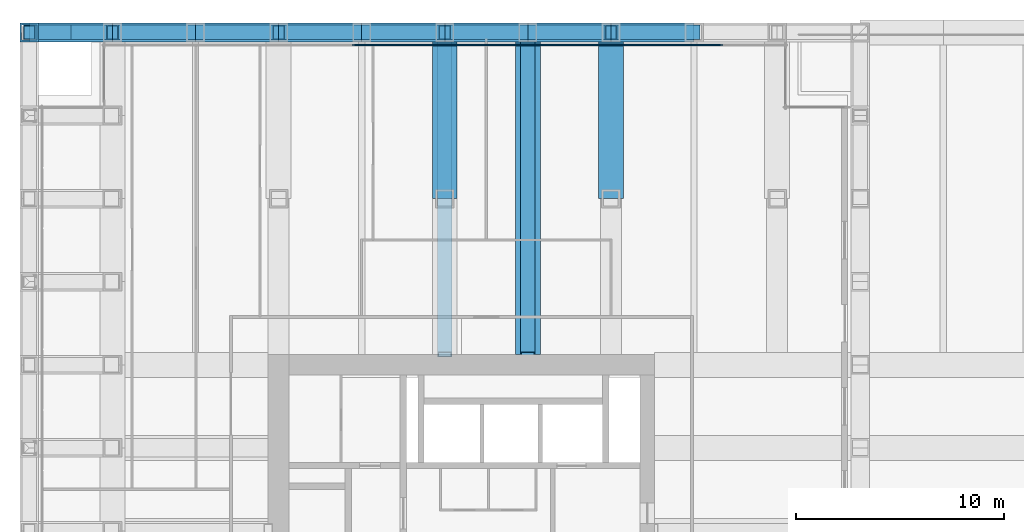
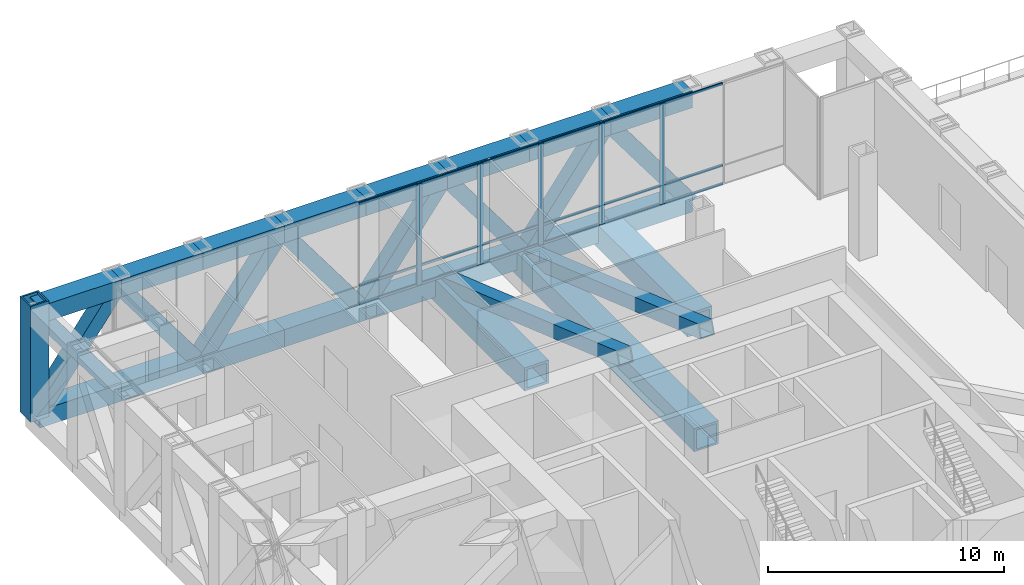
# One storey, part 7 of 13: 35 members, 19 beams, 1 element without a shape of its own.
"""IFC4 building model written with IfcOpenShell, lengths in metres."""

from ifc_helpers import new_model, si_unit, direction, frame, origin, origin_2d, place, context, subcontext, project, spatial, rectangle, hollow_rectangle, extrude, material, material_profile, profile_set, type_object, element, aggregate, save


model = new_model("IFC4")

# Units and contexts
model_context = context("Model", 3, precision=1e-05, world=origin(), true_north=direction((0.0, 1.0)))
body_context = subcontext(model_context, "Body", "Model", "MODEL_VIEW")
ifc_project = project(units=[si_unit("LENGTHUNIT", "METRE"), si_unit("AREAUNIT", "SQUARE_METRE"), si_unit("VOLUMEUNIT", "CUBIC_METRE"), si_unit("PLANEANGLEUNIT", "RADIAN"), si_unit("MASSUNIT", "GRAM", prefix="KILO")], contexts=[model_context])

# Site, building, storey
site_placement = place(None, origin())
site = spatial("IfcSite", under=ifc_project, at=site_placement, CompositionType="ELEMENT")
building_placement = place(site_placement, origin())
building = spatial("IfcBuilding", under=site, at=building_placement, Name="Rimbunsela Tower", CompositionType="ELEMENT")
storey_placement = place(building_placement, frame((0.0, 0.0, 137.39990234375)))
storey = spatial("IfcBuildingStorey", under=building, at=storey_placement, Name="L33", CompositionType="ELEMENT", Elevation=137.39990234375)

# Beams
ifc_material_1 = material(Name="Steel BJ 55 (fy 410 MPa)", Category="steel")
ifc_material_profile_1 = material_profile(ifc_material_1, hollow_rectangle(XDim=1.199951171875, YDim=1.199951171875, WallThickness=0.10009765625, at=origin_2d()), Name="BOX 1200x1200x100")
ifc_profile_set_1 = profile_set([ifc_material_profile_1], Name="Steel BJ 55 (fy 410 MPa)")
beam_type_1 = type_object("IfcBeamType", Name="Beam BOX 1200x1200x100", PredefinedType="BEAM", material=ifc_profile_set_1)
beam_placement = place(storey_placement, frame((30.0, 36.5, -0.75), z_axis=(0.0, 1.0, 0.0), x_axis=(-1.0, 0.0, 0.0)))
element("IfcBeam", 1, at=beam_placement, inside=storey, type_object=beam_type_1, Name="Beam B5 L33", PredefinedType="BEAM", context=body_context, shape_type="SweptSolid", body=[
    extrude(hollow_rectangle(XDim=1.199951171875, YDim=1.199951171875, WallThickness=0.10009765625, at=origin_2d()), origin(), (0.0, 0.0, 1.0), 15.5),
])
ifc_material_2 = material(Name="Steel BJ 55 (fy 410 MPa)", Category="steel")
ifc_material_profile_2 = material_profile(ifc_material_2, hollow_rectangle(XDim=1.199951171875, YDim=1.199951171875, WallThickness=0.125, at=origin_2d()), Name="BOX 1200x1200x125")
ifc_profile_set_2 = profile_set([ifc_material_profile_2], Name="Steel BJ 55 (fy 410 MPa)")
beam_type_2 = type_object("IfcBeamType", Name="Beam BOX 1200x1200x125", PredefinedType="BEAM", material=ifc_profile_set_2)
for number, where, z_axis, x_axis, name in (
    (2, (26.0, 44.0, -0.75), (0.0, 1.0, 0.0), (-1.0, 0.0, 0.0), "Beam B4 L33"),
    (3, (34.0, 44.0, -0.75), (0.0, 1.0, 0.0), (-1.0, 0.0, 0.0), "Beam B4 L33"),
):
    element("IfcBeam", number, at=place(storey_placement, frame(where, z_axis=z_axis, x_axis=x_axis)), inside=storey, type_object=beam_type_2, Name=name, PredefinedType="BEAM", context=body_context, shape_type="SweptSolid", body=[
        extrude(hollow_rectangle(XDim=1.199951171875, YDim=1.199951171875, WallThickness=0.125, at=origin_2d()), origin(), (0.0, 0.0, 1.0), 8.0),
    ])

# Curtain wall, members
ifc_material_3 = material(Name="Aluminium curtain wall", Category="aluminium")
curtain_wall_type = type_object("IfcCurtainWallType", Name="Plant floor louvre wall", PredefinedType="USERDEFINED", material=ifc_material_3)
curtain_wall_placement = place(storey_placement, origin())
curtain_wall = element("IfcCurtainWall", 4, at=curtain_wall_placement, inside=storey, type_object=curtain_wall_type, Name="Plant floor louvre wall L33", ObjectType="PLANT FLOOR LOUVRE WALL", PredefinedType="USERDEFINED")
ifc_material_4 = material(Name="Aluminium mullion", Category="aluminium")
ifc_material_profile_3 = material_profile(ifc_material_4, rectangle(XDim=0.06005859375, YDim=0.25, at=origin_2d()), Name="Mullion 60x250")
ifc_profile_set_3 = profile_set([ifc_material_profile_3], Name="Aluminium mullion")
member_type_1 = type_object("IfcMemberType", Name="Curtain wall mullion 60x250", PredefinedType="MULLION", material=ifc_profile_set_3)
member_1_placement = place(storey_placement, frame((36.436279296875, 51.39990234375, 0.0), z_axis=(0.0, 0.0, 1.0), x_axis=(0.0, -1.0, 0.0)))
member_1 = element("IfcMember", 5, at=member_1_placement, type_object=member_type_1, Name="CW3 mullion 3", PredefinedType="MULLION", context=body_context, shape_type="SweptSolid", body=[
    extrude(rectangle(XDim=0.06005859375, YDim=0.25, at=origin_2d()), origin(), (0.0, 0.0, 1.0), 5.25),
])
member_2_placement = place(storey_placement, frame((33.45458984375, 51.39990234375, 0.0), z_axis=(0.0, 0.0, 1.0), x_axis=(0.0, -1.0, 0.0)))
member_2 = element("IfcMember", 6, at=member_2_placement, type_object=member_type_1, Name="CW3 mullion 4", PredefinedType="MULLION", context=body_context, shape_type="SweptSolid", body=[
    extrude(rectangle(XDim=0.06005859375, YDim=0.25, at=origin_2d()), origin(), (0.0, 0.0, 1.0), 5.25),
])
member_3_placement = place(storey_placement, frame((30.47265625, 51.39990234375, 0.0), z_axis=(0.0, 0.0, 1.0), x_axis=(0.0, -1.0, 0.0)))
member_3 = element("IfcMember", 7, at=member_3_placement, type_object=member_type_1, Name="CW3 mullion 5", PredefinedType="MULLION", context=body_context, shape_type="SweptSolid", body=[
    extrude(rectangle(XDim=0.06005859375, YDim=0.25, at=origin_2d()), origin(), (0.0, 0.0, 1.0), 5.25),
])
member_4_placement = place(storey_placement, frame((27.490966796875, 51.39990234375, 0.0), z_axis=(0.0, 0.0, 1.0), x_axis=(0.0, -1.0, 0.0)))
member_4 = element("IfcMember", 8, at=member_4_placement, type_object=member_type_1, Name="CW3 mullion 6", PredefinedType="MULLION", context=body_context, shape_type="SweptSolid", body=[
    extrude(rectangle(XDim=0.06005859375, YDim=0.25, at=origin_2d()), origin(), (0.0, 0.0, 1.0), 5.25),
])
member_5_placement = place(storey_placement, frame((24.509033203125, 51.39990234375, 0.0), z_axis=(0.0, 0.0, 1.0), x_axis=(0.0, -1.0, 0.0)))
member_5 = element("IfcMember", 9, at=member_5_placement, type_object=member_type_1, Name="CW3 mullion 7", PredefinedType="MULLION", context=body_context, shape_type="SweptSolid", body=[
    extrude(rectangle(XDim=0.06005859375, YDim=0.25, at=origin_2d()), origin(), (0.0, 0.0, 1.0), 5.25),
])
ifc_material_5 = material(Name="Aluminium transom", Category="aluminium")
ifc_material_profile_4 = material_profile(ifc_material_5, rectangle(XDim=0.06005859375, YDim=0.1201171875, at=origin_2d()), Name="Transom 60x120")
ifc_profile_set_4 = profile_set([ifc_material_profile_4], Name="Aluminium transom")
member_type_2 = type_object("IfcMemberType", Name="Curtain wall transom 60x120", PredefinedType="USERDEFINED", material=ifc_profile_set_4)
member_6_placement = place(storey_placement, frame((39.38818359375, 51.39990234375, 0.030029296875), z_axis=(-1.0, 0.0, 0.0), x_axis=(0.0, -1.0, 0.0)))
member_6 = element("IfcMember", 10, at=member_6_placement, type_object=member_type_2, Name="CW3 transom 2.1", ObjectType="TRANSOM", PredefinedType="USERDEFINED", context=body_context, shape_type="SweptSolid", body=[
    extrude(rectangle(XDim=0.06005859375, YDim=0.1201171875, at=origin_2d()), origin(), (0.0, 0.0, 1.0), 2.921875),
])
member_7_placement = place(storey_placement, frame((39.38818359375, 51.39990234375, 1.0), z_axis=(-1.0, 0.0, 0.0), x_axis=(0.0, -1.0, 0.0)))
member_7 = element("IfcMember", 11, at=member_7_placement, type_object=member_type_2, Name="CW3 transom 2.2", ObjectType="TRANSOM", PredefinedType="USERDEFINED", context=body_context, shape_type="SweptSolid", body=[
    extrude(rectangle(XDim=0.06005859375, YDim=0.1201171875, at=origin_2d()), origin(), (0.0, 0.0, 1.0), 2.921875),
])
member_8_placement = place(storey_placement, frame((39.38818359375, 51.39990234375, 5.22021484375), z_axis=(-1.0, 0.0, 0.0), x_axis=(0.0, -1.0, 0.0)))
member_8 = element("IfcMember", 12, at=member_8_placement, type_object=member_type_2, Name="CW3 transom 2.3", ObjectType="TRANSOM", PredefinedType="USERDEFINED", context=body_context, shape_type="SweptSolid", body=[
    extrude(rectangle(XDim=0.06005859375, YDim=0.1201171875, at=origin_2d()), origin(), (0.0, 0.0, 1.0), 2.921875),
])
member_9_placement = place(storey_placement, frame((36.40625, 51.39990234375, 0.030029296875), z_axis=(-1.0, 0.0, 0.0), x_axis=(0.0, -1.0, 0.0)))
member_9 = element("IfcMember", 13, at=member_9_placement, type_object=member_type_2, Name="CW3 transom 3.1", ObjectType="TRANSOM", PredefinedType="USERDEFINED", context=body_context, shape_type="SweptSolid", body=[
    extrude(rectangle(XDim=0.06005859375, YDim=0.1201171875, at=origin_2d()), origin(), (0.0, 0.0, 1.0), 2.921630859375),
])
member_10_placement = place(storey_placement, frame((36.40625, 51.39990234375, 1.0), z_axis=(-1.0, 0.0, 0.0), x_axis=(0.0, -1.0, 0.0)))
member_10 = element("IfcMember", 14, at=member_10_placement, type_object=member_type_2, Name="CW3 transom 3.2", ObjectType="TRANSOM", PredefinedType="USERDEFINED", context=body_context, shape_type="SweptSolid", body=[
    extrude(rectangle(XDim=0.06005859375, YDim=0.1201171875, at=origin_2d()), origin(), (0.0, 0.0, 1.0), 2.921630859375),
])
member_11_placement = place(storey_placement, frame((36.40625, 51.39990234375, 5.22021484375), z_axis=(-1.0, 0.0, 0.0), x_axis=(0.0, -1.0, 0.0)))
member_11 = element("IfcMember", 15, at=member_11_placement, type_object=member_type_2, Name="CW3 transom 3.3", ObjectType="TRANSOM", PredefinedType="USERDEFINED", context=body_context, shape_type="SweptSolid", body=[
    extrude(rectangle(XDim=0.06005859375, YDim=0.1201171875, at=origin_2d()), origin(), (0.0, 0.0, 1.0), 2.921630859375),
])
member_12_placement = place(storey_placement, frame((33.424560546875, 51.39990234375, 0.030029296875), z_axis=(-1.0, 0.0, 0.0), x_axis=(0.0, -1.0, 0.0)))
member_12 = element("IfcMember", 16, at=member_12_placement, type_object=member_type_2, Name="CW3 transom 4.1", ObjectType="TRANSOM", PredefinedType="USERDEFINED", context=body_context, shape_type="SweptSolid", body=[
    extrude(rectangle(XDim=0.06005859375, YDim=0.1201171875, at=origin_2d()), origin(), (0.0, 0.0, 1.0), 2.921875),
])
member_13_placement = place(storey_placement, frame((33.424560546875, 51.39990234375, 1.0), z_axis=(-1.0, 0.0, 0.0), x_axis=(0.0, -1.0, 0.0)))
member_13 = element("IfcMember", 17, at=member_13_placement, type_object=member_type_2, Name="CW3 transom 4.2", ObjectType="TRANSOM", PredefinedType="USERDEFINED", context=body_context, shape_type="SweptSolid", body=[
    extrude(rectangle(XDim=0.06005859375, YDim=0.1201171875, at=origin_2d()), origin(), (0.0, 0.0, 1.0), 2.921875),
])
member_14_placement = place(storey_placement, frame((33.424560546875, 51.39990234375, 5.22021484375), z_axis=(-1.0, 0.0, 0.0), x_axis=(0.0, -1.0, 0.0)))
member_14 = element("IfcMember", 18, at=member_14_placement, type_object=member_type_2, Name="CW3 transom 4.3", ObjectType="TRANSOM", PredefinedType="USERDEFINED", context=body_context, shape_type="SweptSolid", body=[
    extrude(rectangle(XDim=0.06005859375, YDim=0.1201171875, at=origin_2d()), origin(), (0.0, 0.0, 1.0), 2.921875),
])
member_15_placement = place(storey_placement, frame((30.442626953125, 51.39990234375, 0.030029296875), z_axis=(-1.0, 0.0, 0.0), x_axis=(0.0, -1.0, 0.0)))
member_15 = element("IfcMember", 19, at=member_15_placement, type_object=member_type_2, Name="CW3 transom 5.1", ObjectType="TRANSOM", PredefinedType="USERDEFINED", context=body_context, shape_type="SweptSolid", body=[
    extrude(rectangle(XDim=0.06005859375, YDim=0.1201171875, at=origin_2d()), origin(), (0.0, 0.0, 1.0), 2.921630859375),
])
member_16_placement = place(storey_placement, frame((30.442626953125, 51.39990234375, 1.0), z_axis=(-1.0, 0.0, 0.0), x_axis=(0.0, -1.0, 0.0)))
member_16 = element("IfcMember", 20, at=member_16_placement, type_object=member_type_2, Name="CW3 transom 5.2", ObjectType="TRANSOM", PredefinedType="USERDEFINED", context=body_context, shape_type="SweptSolid", body=[
    extrude(rectangle(XDim=0.06005859375, YDim=0.1201171875, at=origin_2d()), origin(), (0.0, 0.0, 1.0), 2.921630859375),
])
member_17_placement = place(storey_placement, frame((30.442626953125, 51.39990234375, 5.22021484375), z_axis=(-1.0, 0.0, 0.0), x_axis=(0.0, -1.0, 0.0)))
member_17 = element("IfcMember", 21, at=member_17_placement, type_object=member_type_2, Name="CW3 transom 5.3", ObjectType="TRANSOM", PredefinedType="USERDEFINED", context=body_context, shape_type="SweptSolid", body=[
    extrude(rectangle(XDim=0.06005859375, YDim=0.1201171875, at=origin_2d()), origin(), (0.0, 0.0, 1.0), 2.921630859375),
])
member_18_placement = place(storey_placement, frame((27.4609375, 51.39990234375, 0.030029296875), z_axis=(-1.0, 0.0, 0.0), x_axis=(0.0, -1.0, 0.0)))
member_18 = element("IfcMember", 22, at=member_18_placement, type_object=member_type_2, Name="CW3 transom 6.1", ObjectType="TRANSOM", PredefinedType="USERDEFINED", context=body_context, shape_type="SweptSolid", body=[
    extrude(rectangle(XDim=0.06005859375, YDim=0.1201171875, at=origin_2d()), origin(), (0.0, 0.0, 1.0), 2.921875),
])
member_19_placement = place(storey_placement, frame((27.4609375, 51.39990234375, 1.0), z_axis=(-1.0, 0.0, 0.0), x_axis=(0.0, -1.0, 0.0)))
member_19 = element("IfcMember", 23, at=member_19_placement, type_object=member_type_2, Name="CW3 transom 6.2", ObjectType="TRANSOM", PredefinedType="USERDEFINED", context=body_context, shape_type="SweptSolid", body=[
    extrude(rectangle(XDim=0.06005859375, YDim=0.1201171875, at=origin_2d()), origin(), (0.0, 0.0, 1.0), 2.921875),
])
member_20_placement = place(storey_placement, frame((27.4609375, 51.39990234375, 5.22021484375), z_axis=(-1.0, 0.0, 0.0), x_axis=(0.0, -1.0, 0.0)))
member_20 = element("IfcMember", 24, at=member_20_placement, type_object=member_type_2, Name="CW3 transom 6.3", ObjectType="TRANSOM", PredefinedType="USERDEFINED", context=body_context, shape_type="SweptSolid", body=[
    extrude(rectangle(XDim=0.06005859375, YDim=0.1201171875, at=origin_2d()), origin(), (0.0, 0.0, 1.0), 2.921875),
])
member_21_placement = place(storey_placement, frame((24.47900390625, 51.39990234375, 0.030029296875), z_axis=(-1.0, 0.0, 0.0), x_axis=(0.0, -1.0, 0.0)))
member_21 = element("IfcMember", 25, at=member_21_placement, type_object=member_type_2, Name="CW3 transom 7.1", ObjectType="TRANSOM", PredefinedType="USERDEFINED", context=body_context, shape_type="SweptSolid", body=[
    extrude(rectangle(XDim=0.06005859375, YDim=0.1201171875, at=origin_2d()), origin(), (0.0, 0.0, 1.0), 2.921630859375),
])
member_22_placement = place(storey_placement, frame((24.47900390625, 51.39990234375, 1.0), z_axis=(-1.0, 0.0, 0.0), x_axis=(0.0, -1.0, 0.0)))
member_22 = element("IfcMember", 26, at=member_22_placement, type_object=member_type_2, Name="CW3 transom 7.2", ObjectType="TRANSOM", PredefinedType="USERDEFINED", context=body_context, shape_type="SweptSolid", body=[
    extrude(rectangle(XDim=0.06005859375, YDim=0.1201171875, at=origin_2d()), origin(), (0.0, 0.0, 1.0), 2.921630859375),
])
member_23_placement = place(storey_placement, frame((24.47900390625, 51.39990234375, 5.22021484375), z_axis=(-1.0, 0.0, 0.0), x_axis=(0.0, -1.0, 0.0)))
member_23 = element("IfcMember", 27, at=member_23_placement, type_object=member_type_2, Name="CW3 transom 7.3", ObjectType="TRANSOM", PredefinedType="USERDEFINED", context=body_context, shape_type="SweptSolid", body=[
    extrude(rectangle(XDim=0.06005859375, YDim=0.1201171875, at=origin_2d()), origin(), (0.0, 0.0, 1.0), 2.921630859375),
])
aggregate(curtain_wall, [member_1, member_2, member_3, member_4, member_5, member_6, member_7, member_8, member_9, member_10, member_11, member_12, member_13, member_14, member_15, member_16, member_17, member_18, member_19, member_20, member_21, member_22, member_23])

# Members
ifc_material_6 = material(Name="Steel BJ 55 (fy 410 MPa)", Category="steel")
ifc_material_profile_5 = material_profile(ifc_material_6, hollow_rectangle(XDim=0.699951171875, YDim=0.699951171875, WallThickness=0.050048828125, at=origin_2d()), Name="BOX 700x700x50")
ifc_profile_set_5 = profile_set([ifc_material_profile_5], Name="Steel BJ 55 (fy 410 MPa)")
member_type_3 = type_object("IfcMemberType", Name="Outrigger brace BOX 700x700x50", PredefinedType="BRACE", material=ifc_profile_set_5)
for number, where, z_axis, x_axis, name in (
    (28, (26.0, 52.0, -0.599853515625), (0.0, -0.944334143314, 0.328987880888), (1.0, 0.0, 0.0), "Outrigger brace OB2 N L33"),
    (29, (30.0, 52.0, -0.599853515625), (0.0, -0.944334143314, 0.328987880888), (1.0, 0.0, 0.0), "Outrigger brace OB2 N L33"),
):
    element("IfcMember", number, at=place(storey_placement, frame(where, z_axis=z_axis, x_axis=x_axis)), inside=storey, type_object=member_type_3, Name=name, PredefinedType="BRACE", context=body_context, shape_type="SweptSolid", body=[
        extrude(hollow_rectangle(XDim=0.699951171875, YDim=0.699951171875, WallThickness=0.050048828125, at=origin_2d()), origin(), (0.0, 0.0, 1.0), 16.41357421875),
    ])

# Beams
ifc_material_7 = material(Name="Steel BJ 55 (fy 410 MPa)", Category="steel")
ifc_material_profile_6 = material_profile(ifc_material_7, hollow_rectangle(XDim=0.89990234375, YDim=0.89990234375, WallThickness=0.080078125, at=origin_2d()), Name="BOX 900x900x80")
ifc_profile_set_6 = profile_set([ifc_material_profile_6], Name="Steel BJ 55 (fy 410 MPa)")
beam_type_3 = type_object("IfcBeamType", Name="Truss chord BOX 900x900x80", PredefinedType="USERDEFINED", material=ifc_profile_set_6)
for number, where, z_axis, x_axis, name in (
    (30, (6.0, 52.0, 4.800048828125), (1.0, 0.0, 0.0), (0.0, 1.0, 0.0), "Truss top chord TC3 N face L33"),
    (31, (10.0, 52.0, 4.800048828125), (1.0, 0.0, 0.0), (0.0, 1.0, 0.0), "Truss top chord TC3 N face L33"),
    (32, (14.0, 52.0, 4.800048828125), (1.0, 0.0, 0.0), (0.0, 1.0, 0.0), "Truss top chord TC3 N face L33"),
    (33, (18.0, 52.0, 4.800048828125), (1.0, 0.0, 0.0), (0.0, 1.0, 0.0), "Truss top chord TC3 N face L33"),
    (34, (22.0, 52.0, 4.800048828125), (1.0, 0.0, 0.0), (0.0, 1.0, 0.0), "Truss top chord TC3 N face L33"),
    (35, (26.0, 52.0, 4.800048828125), (1.0, 0.0, 0.0), (0.0, 1.0, 0.0), "Truss top chord TC3 N face L33"),
    (36, (30.0, 52.0, 4.800048828125), (1.0, 0.0, 0.0), (0.0, 1.0, 0.0), "Truss top chord TC3 N face L33"),
    (37, (34.0, 52.0, 4.800048828125), (1.0, 0.0, 0.0), (0.0, 1.0, 0.0), "Truss top chord TC3 N face L33"),
    (38, (10.0, 52.0, -0.599853515625), (1.0, 0.0, 0.0), (0.0, 1.0, 0.0), "Truss bottom chord TC3 N face L33"),
    (39, (14.0, 52.0, -0.599853515625), (1.0, 0.0, 0.0), (0.0, 1.0, 0.0), "Truss bottom chord TC3 N face L33"),
    (40, (18.0, 52.0, -0.599853515625), (1.0, 0.0, 0.0), (0.0, 1.0, 0.0), "Truss bottom chord TC3 N face L33"),
    (41, (22.0, 52.0, -0.599853515625), (1.0, 0.0, 0.0), (0.0, 1.0, 0.0), "Truss bottom chord TC3 N face L33"),
    (42, (26.0, 52.0, -0.599853515625), (1.0, 0.0, 0.0), (0.0, 1.0, 0.0), "Truss bottom chord TC3 N face L33"),
    (43, (30.0, 52.0, -0.599853515625), (1.0, 0.0, 0.0), (0.0, 1.0, 0.0), "Truss bottom chord TC3 N face L33"),
    (44, (34.0, 52.0, -0.599853515625), (1.0, 0.0, 0.0), (0.0, 1.0, 0.0), "Truss bottom chord TC3 N face L33"),
    (45, (6.0, 52.0, -0.599853515625), (1.0, 0.0, 0.0), (0.0, 1.0, 0.0), "Truss bottom chord TC3 N face L33"),
):
    element("IfcBeam", number, at=place(storey_placement, frame(where, z_axis=z_axis, x_axis=x_axis)), inside=storey, type_object=beam_type_3, Name=name, ObjectType="TRUSS CHORD", PredefinedType="USERDEFINED", context=body_context, shape_type="SweptSolid", body=[
        extrude(hollow_rectangle(XDim=0.89990234375, YDim=0.89990234375, WallThickness=0.080078125, at=origin_2d()), origin(), (0.0, 0.0, 1.0), 4.0),
    ])

# Members
ifc_material_8 = material(Name="Steel BJ 55 (fy 410 MPa)", Category="steel")
ifc_material_profile_7 = material_profile(ifc_material_8, hollow_rectangle(XDim=0.699951171875, YDim=0.699951171875, WallThickness=0.0400390625, at=origin_2d()), Name="BOX 700x700x40")
ifc_profile_set_7 = profile_set([ifc_material_profile_7], Name="Steel BJ 55 (fy 410 MPa)")
member_type_4 = type_object("IfcMemberType", Name="Truss diagonal BOX 700x700x40", PredefinedType="BRACE", material=ifc_profile_set_7)
for number, where, z_axis, x_axis, name in (
    (46, (6.0, 52.0, -0.599853515625), (0.595234501294, 0.0, 0.803552044655), (0.0, 1.0, 0.0), "Truss diagonal TD3 N face L33"),
    (47, (10.0, 52.0, 4.800048828125), (0.595234501294, 0.0, -0.803552044655), (0.0, 1.0, 0.0), "Truss diagonal TD3 N face L33"),
    (48, (14.0, 52.0, -0.599853515625), (0.595234501294, 0.0, 0.803552044655), (0.0, 1.0, 0.0), "Truss diagonal TD3 N face L33"),
    (49, (18.0, 52.0, 4.800048828125), (0.595234501294, 0.0, -0.803552044655), (0.0, 1.0, 0.0), "Truss diagonal TD3 N face L33"),
    (50, (22.0, 52.0, -0.599853515625), (0.595234501294, 0.0, 0.803552044655), (0.0, 1.0, 0.0), "Truss diagonal TD3 N face L33"),
    (51, (26.0, 52.0, 4.800048828125), (0.595234501294, 0.0, -0.803552044655), (0.0, 1.0, 0.0), "Truss diagonal TD3 N face L33"),
    (52, (30.0, 52.0, -0.599853515625), (0.595234501294, 0.0, 0.803552044655), (0.0, 1.0, 0.0), "Truss diagonal TD3 N face L33"),
    (53, (34.0, 52.0, 4.800048828125), (0.595234501294, 0.0, -0.803552044655), (0.0, 1.0, 0.0), "Truss diagonal TD3 N face L33"),
    (54, (10.0, 52.0, -0.599853515625), (-0.595234501294, 0.0, 0.803552044655), (0.0, -1.0, 0.0), "Cantilever truss diagonal TD3 4/Q L33"),
):
    element("IfcMember", number, at=place(storey_placement, frame(where, z_axis=z_axis, x_axis=x_axis)), inside=storey, type_object=member_type_4, Name=name, PredefinedType="BRACE", context=body_context, shape_type="SweptSolid", body=[
        extrude(hollow_rectangle(XDim=0.699951171875, YDim=0.699951171875, WallThickness=0.0400390625, at=origin_2d()), origin(), (0.0, 0.0, 1.0), 6.719970703125),
    ])
ifc_material_9 = material(Name="Steel BJ 55 (fy 410 MPa)", Category="steel")
ifc_material_profile_8 = material_profile(ifc_material_9, hollow_rectangle(XDim=0.89990234375, YDim=0.89990234375, WallThickness=0.080078125, at=origin_2d()), Name="BOX 900x900x80")
ifc_profile_set_8 = profile_set([ifc_material_profile_8], Name="Steel BJ 55 (fy 410 MPa)")
member_type_5 = type_object("IfcMemberType", Name="Truss post BOX 900x900x80", PredefinedType="POST", material=ifc_profile_set_8)
member_24_placement = place(storey_placement, frame((6.0, 52.0, -0.599853515625), z_axis=(0.0, 0.0, 1.0), x_axis=(1.0, 0.0, 0.0)))
element("IfcMember", 55, at=member_24_placement, inside=storey, type_object=member_type_5, Name="Truss post TP3 4/Q L33", PredefinedType="POST", context=body_context, shape_type="SweptSolid", body=[
    extrude(hollow_rectangle(XDim=0.89990234375, YDim=0.89990234375, WallThickness=0.080078125, at=origin_2d()), origin(), (0.0, 0.0, 1.0), 6.0),
])

save(model, "model.ifc")
